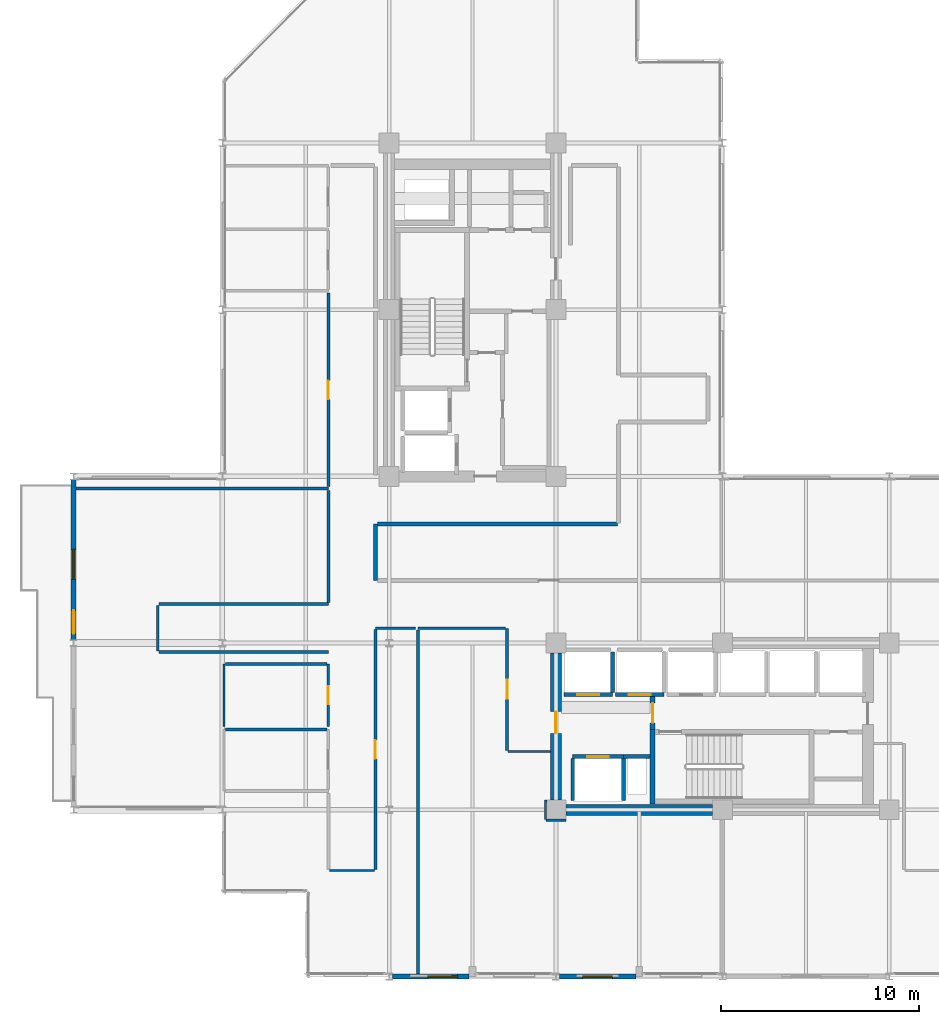
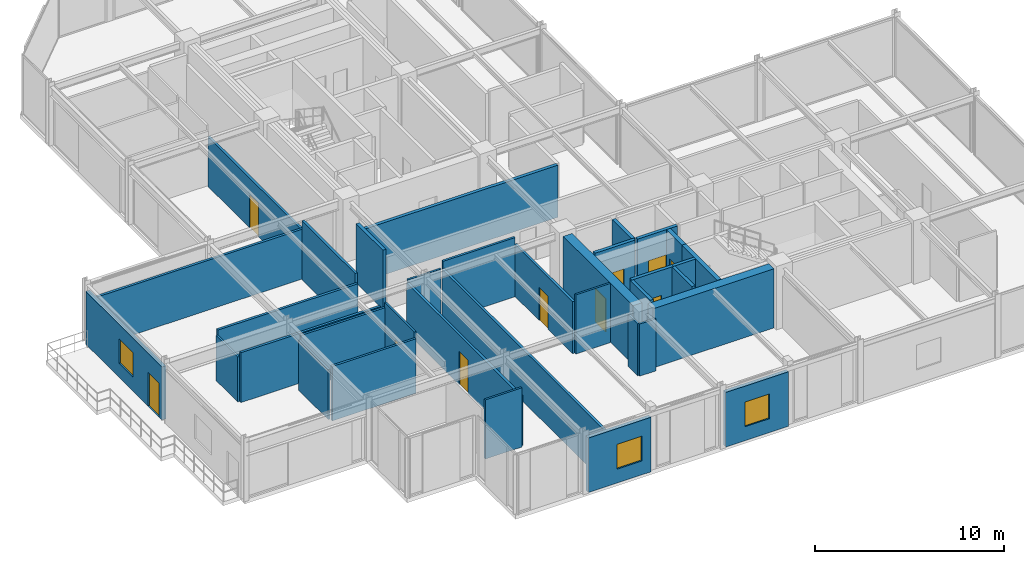
# One storey, part 24 of 29: 35 walls, 10 doors, 3 windows, 13 openings.
"""IFC4 building model written with IfcOpenShell, lengths in metres."""

from ifc_helpers import new_model, si_unit, direction, frame, frame_2d, origin, place, context, subcontext, project, spatial, rectangle, extrude, material, layer, layer_set, type_object, element, fill, save


model = new_model("IFC4")

# Units and contexts
model_context = context("Model", 3, precision=1e-05, world=origin(), true_north=direction((0.0, 1.0)))
body_context = subcontext(model_context, "Body", "Model", "MODEL_VIEW")
ifc_project = project(units=[si_unit("LENGTHUNIT", "METRE"), si_unit("AREAUNIT", "SQUARE_METRE"), si_unit("VOLUMEUNIT", "CUBIC_METRE"), si_unit("PLANEANGLEUNIT", "RADIAN"), si_unit("MASSUNIT", "GRAM", prefix="KILO")], contexts=[model_context])

# Site, building, storey
site_placement = place(None, origin())
site = spatial("IfcSite", under=ifc_project, at=site_placement, CompositionType="ELEMENT")
building_placement = place(site_placement, origin())
building = spatial("IfcBuilding", under=site, at=building_placement, Name="Nerrivon Quay Data Exchange", CompositionType="ELEMENT")
storey_placement = place(building_placement, frame((0.0, 0.0, 183.699951171875)))
storey = spatial("IfcBuildingStorey", under=building, at=storey_placement, Name="L43", CompositionType="ELEMENT", Elevation=183.699951171875)

# Wall, openings, door, window
ifc_material_1 = material(Name="Architectural terracotta precast concrete N50 (50 MPa)", Category="masonry")
ifc_layer_1 = layer(ifc_material_1, 0.239990234375)
ifc_layer_set_1 = layer_set([ifc_layer_1], Name="Architectural terracotta precast concrete N50 (50 MPa)")
wall_type_1 = type_object("IfcWallType", Name="EW-PREC-240", PredefinedType="STANDARD", material=ifc_layer_set_1)
wall_1_placement = place(storey_placement, frame((-7.5, 16.96337890625, 0.0), z_axis=(0.0, 0.0, 1.0), x_axis=(0.0, 1.0, 0.0)))
wall_1 = element("IfcWall", 1, at=wall_1_placement, inside=storey, type_object=wall_type_1, Name="L43 Terrace Host Wall 2", PredefinedType="STANDARD", context=body_context, shape_type="SweptSolid", body=[
    extrude(rectangle(XDim=8.0732421875, YDim=0.239990234375, at=frame_2d((4.03662109375, 0.0))), origin(), (0.0, 0.0, 1.0), 3.422119140625),
])
opening_1_placement = place(wall_1_placement, frame((0.300048828125, 0.0, 0.0)))
opening_1 = element("IfcOpeningElement", 2, at=opening_1_placement, cuts=wall_1, Name="Opening TD1", PredefinedType="OPENING", context=body_context, shape_type="SweptSolid", body=[
    extrude(rectangle(XDim=1.199951171875, YDim=2.199951171875, at=frame_2d((0.60009765625, 1.10009765625))), frame((0.0, 0.1298828125, 0.0), z_axis=(0.0, -1.0, 0.0), x_axis=(1.0, 0.0, 0.0)), (0.0, 0.0, 1.0), 0.260009765625),
])
opening_2_placement = place(wall_1_placement, frame((3.052978515625, 0.0, 0.89990234375)))
opening_2 = element("IfcOpeningElement", 3, at=opening_2_placement, cuts=wall_1, Name="Opening WN4", PredefinedType="OPENING", context=body_context, shape_type="SweptSolid", body=[
    extrude(rectangle(XDim=1.5, YDim=1.60009765625, at=frame_2d((0.75, 0.800048828125))), frame((0.0, 0.1298828125, 0.0), z_axis=(0.0, -1.0, 0.0), x_axis=(1.0, 0.0, 0.0)), (0.0, 0.0, 1.0), 0.260009765625),
])
ifc_material_2 = material(Name="Double-glazed low-E solar control glass", Category="glass")
door_type_1 = type_object("IfcDoorType", Name="DR-TERR-1200x2200", OperationType="NOTDEFINED", PredefinedType="DOOR", material=ifc_material_2)
door_1_placement = place(opening_1_placement, origin())
door_1 = element("IfcDoor", 4, at=door_1_placement, inside=storey, type_object=door_type_1, Name="L43 Outdoor Terrace Access Door 2", OperationType="SINGLE_SWING_LEFT", OverallHeight=2.199951171875, OverallWidth=1.199951171875, PredefinedType="DOOR", context=body_context, shape_type="SweptSolid", body=[
    extrude(rectangle(XDim=1.199951171875, YDim=2.199951171875, at=frame_2d((0.60009765625, 1.10009765625))), frame((0.0, 0.02490234375, 0.0), z_axis=(0.0, -1.0, 0.0), x_axis=(1.0, 0.0, 0.0)), (0.0, 0.0, 1.0), 0.050048828125),
])
fill(opening_1, door_1)
window_type = type_object("IfcWindowType", Name="WIN-W4-1500x1600", PartitioningType="SINGLE_PANEL", PredefinedType="WINDOW", material=ifc_material_2)
window_1_placement = place(opening_2_placement, origin())
window_1 = element("IfcWindow", 5, at=window_1_placement, inside=storey, type_object=window_type, Name="L43 Terrace Side Window 2", OverallHeight=1.60009765625, OverallWidth=1.5, PartitioningType="SINGLE_PANEL", PredefinedType="WINDOW", context=body_context, shape_type="SweptSolid", body=[
    extrude(rectangle(XDim=1.5, YDim=1.60009765625, at=frame_2d((0.75, 0.800048828125))), frame((0.0, 0.030029296875, 0.0), z_axis=(0.0, -1.0, 0.0), x_axis=(1.0, 0.0, 0.0)), (0.0, 0.0, 1.0), 0.06005859375),
])
fill(opening_2, window_1)

# Wall, opening, window
wall_2_placement = place(storey_placement, frame((20.824951171875, 0.0, 0.0), z_axis=(0.0, 0.0, 1.0), x_axis=(-1.0, 0.0, 0.0)))
wall_2 = element("IfcWall", 6, at=wall_2_placement, inside=storey, type_object=wall_type_1, Name="L43 Podium Precast Spandrel Wall 25", PredefinedType="STANDARD", context=body_context, shape_type="SweptSolid", body=[
    extrude(rectangle(XDim=3.849853515625, YDim=0.239990234375, at=frame_2d((1.9248046875, 0.0))), origin(), (0.0, 0.0, 1.0), 3.525146484375),
])
opening_3_placement = place(wall_2_placement, frame((1.175048828125, 0.0, 0.89990234375)))
opening_3 = element("IfcOpeningElement", 7, at=opening_3_placement, cuts=wall_2, Name="Opening WN4", PredefinedType="OPENING", context=body_context, shape_type="SweptSolid", body=[
    extrude(rectangle(XDim=1.5, YDim=1.60009765625, at=frame_2d((0.75, 0.800048828125))), frame((0.0, 0.1298828125, 0.0), z_axis=(0.0, -1.0, 0.0), x_axis=(1.0, 0.0, 0.0)), (0.0, 0.0, 1.0), 0.260009765625),
])
window_2_placement = place(opening_3_placement, origin())
window_2 = element("IfcWindow", 8, at=window_2_placement, inside=storey, type_object=window_type, Name="L43 Solar Facade Window 25", OverallHeight=1.60009765625, OverallWidth=1.5, PartitioningType="SINGLE_PANEL", PredefinedType="WINDOW", context=body_context, shape_type="SweptSolid", body=[
    extrude(rectangle(XDim=1.5, YDim=1.60009765625, at=frame_2d((0.75, 0.800048828125))), frame((0.0, 0.030029296875, 0.0), z_axis=(0.0, -1.0, 0.0), x_axis=(1.0, 0.0, 0.0)), (0.0, 0.0, 1.0), 0.06005859375),
])
fill(opening_3, window_2)

wall_3_placement = place(storey_placement, frame((12.425048828125, 0.0, 0.0), z_axis=(0.0, 0.0, 1.0), x_axis=(-1.0, 0.0, 0.0)))
wall_3 = element("IfcWall", 9, at=wall_3_placement, inside=storey, type_object=wall_type_1, Name="L43 Podium Precast Spandrel Wall 27", PredefinedType="STANDARD", context=body_context, shape_type="SweptSolid", body=[
    extrude(rectangle(XDim=3.85009765625, YDim=0.239990234375, at=frame_2d((1.925048828125, 0.0))), origin(), (0.0, 0.0, 1.0), 3.525146484375),
])
opening_4_placement = place(wall_3_placement, frame((0.57861328125, 0.0, 0.89990234375)))
opening_4 = element("IfcOpeningElement", 10, at=opening_4_placement, cuts=wall_3, Name="Opening WN4", PredefinedType="OPENING", context=body_context, shape_type="SweptSolid", body=[
    extrude(rectangle(XDim=1.5, YDim=1.60009765625, at=frame_2d((0.75, 0.800048828125))), frame((0.0, 0.1298828125, 0.0), z_axis=(0.0, -1.0, 0.0), x_axis=(1.0, 0.0, 0.0)), (0.0, 0.0, 1.0), 0.260009765625),
])
window_3_placement = place(opening_4_placement, origin())
window_3 = element("IfcWindow", 11, at=window_3_placement, inside=storey, type_object=window_type, Name="L43 Solar Facade Window 27", OverallHeight=1.60009765625, OverallWidth=1.5, PartitioningType="SINGLE_PANEL", PredefinedType="WINDOW", context=body_context, shape_type="SweptSolid", body=[
    extrude(rectangle(XDim=1.5, YDim=1.60009765625, at=frame_2d((0.75, 0.800048828125))), frame((0.0, 0.030029296875, 0.0), z_axis=(0.0, -1.0, 0.0), x_axis=(1.0, 0.0, 0.0)), (0.0, 0.0, 1.0), 0.06005859375),
])
fill(opening_4, window_3)

# Wall
ifc_material_3 = material(Name="Concrete S65 (65 MPa)", Category="concrete")
ifc_layer_2 = layer(ifc_material_3, 0.550048828125)
ifc_layer_set_2 = layer_set([ifc_layer_2], Name="Concrete S65 (65 MPa)")
wall_type_2 = type_object("IfcWallType", Name="WALL-CW-700", PredefinedType="SHEAR", material=ifc_layer_set_2)
wall_4_placement = place(storey_placement, frame((17.300048828125, 8.39990234375, 0.0), z_axis=(0.0, 0.0, 1.0), x_axis=(1.0, 0.0, 0.0)))
element("IfcWall", 12, at=wall_4_placement, inside=storey, type_object=wall_type_2, Name="L43 East Split-Core Shear Wall ECW-S1", PredefinedType="SHEAR", context=body_context, shape_type="SweptSolid", body=[
    extrude(rectangle(XDim=7.39990234375, YDim=0.550048828125, at=frame_2d((3.699951171875, 0.0))), origin(), (0.0, 0.0, 1.0), 3.824951171875),
])

# Wall, opening, door
wall_5_placement = place(storey_placement, frame((16.800048828125, 8.89990234375, 0.0), z_axis=(0.0, 0.0, 1.0), x_axis=(0.0, 1.0, 0.0)))
wall_5 = element("IfcWall", 13, at=wall_5_placement, inside=storey, type_object=wall_type_2, Name="L43 East Split-Core Shear Wall ECW-W1", PredefinedType="SHEAR", context=body_context, shape_type="SweptSolid", body=[
    extrude(rectangle(XDim=7.400146484375, YDim=0.550048828125, at=frame_2d((3.7001953125, 0.0))), origin(), (0.0, 0.0, 1.0), 3.824951171875),
])
opening_5_placement = place(wall_5_placement, frame((3.35009765625, 0.0, 0.0)))
opening_5 = element("IfcOpeningElement", 14, at=opening_5_placement, cuts=wall_5, Name="Opening FD-120", PredefinedType="OPENING", context=body_context, shape_type="SweptSolid", body=[
    extrude(rectangle(XDim=1.10009765625, YDim=2.14990234375, at=frame_2d((0.550048828125, 1.074951171875))), frame((0.0, 0.284912109375, 0.0), z_axis=(0.0, -1.0, 0.0), x_axis=(1.0, 0.0, 0.0)), (0.0, 0.0, 1.0), 0.570068359375),
])
ifc_material_4 = material(Name="Powder-coated galvanized steel sheet", Category="steel")
door_type_2 = type_object("IfcDoorType", Name="DR-FD120-1100", OperationType="NOTDEFINED", PredefinedType="DOOR", material=ifc_material_4)
door_2_placement = place(opening_5_placement, origin())
door_2 = element("IfcDoor", 15, at=door_2_placement, inside=storey, type_object=door_type_2, Name="L43 East Core Lobby Fire Door", OperationType="SINGLE_SWING_RIGHT", OverallHeight=2.14990234375, OverallWidth=1.10009765625, PredefinedType="DOOR", context=body_context, shape_type="SweptSolid", body=[
    extrude(rectangle(XDim=1.10009765625, YDim=2.14990234375, at=frame_2d((0.550048828125, 1.074951171875))), frame((0.0, 0.02490234375, 0.0), z_axis=(0.0, -1.0, 0.0), x_axis=(1.0, 0.0, 0.0)), (0.0, 0.0, 1.0), 0.050048828125),
])
fill(opening_5, door_2)

# Wall
ifc_material_5 = material(Name="Gypsum plasterboard on cold-formed framing", Category="gypsum")
ifc_layer_3 = layer(ifc_material_5, 0.199951171875)
ifc_layer_set_3 = layer_set([ifc_layer_3], Name="Gypsum plasterboard on cold-formed framing")
wall_type_3 = type_object("IfcWallType", Name="WALL-FW-200", PredefinedType="PARTITIONING", material=ifc_layer_set_3)
wall_6_placement = place(storey_placement, frame((20.199951171875, 11.080078125, 0.0), z_axis=(0.0, 0.0, 1.0), x_axis=(1.0, 0.0, 0.0)))
element("IfcWall", 16, at=wall_6_placement, inside=storey, type_object=wall_type_3, Name="L43 East Core MEP Riser Shaft Wall N", PredefinedType="PARTITIONING", context=body_context, shape_type="SweptSolid", body=[
    extrude(rectangle(XDim=1.35009765625, YDim=0.199951171875, at=frame_2d((0.675048828125, 0.0))), origin(), (0.0, 0.0, 1.0), 3.824951171875),
])

# Wall, opening, door
wall_7_placement = place(storey_placement, frame((17.64990234375, 11.080078125, 0.0), z_axis=(0.0, 0.0, 1.0), x_axis=(1.0, 0.0, 0.0)))
wall_7 = element("IfcWall", 17, at=wall_7_placement, inside=storey, type_object=wall_type_3, Name="L43 Lift Front Wall FFL-2", PredefinedType="PARTITIONING", context=body_context, shape_type="SweptSolid", body=[
    extrude(rectangle(XDim=2.550048828125, YDim=0.199951171875, at=frame_2d((1.27490234375, 0.0))), origin(), (0.0, 0.0, 1.0), 3.824951171875),
])
opening_6_placement = place(wall_7_placement, frame((0.72509765625, 0.0, 0.0)))
opening_6 = element("IfcOpeningElement", 18, at=opening_6_placement, cuts=wall_7, Name="Opening LD-120", PredefinedType="OPENING", context=body_context, shape_type="SweptSolid", body=[
    extrude(rectangle(XDim=1.10009765625, YDim=2.199951171875, at=frame_2d((0.550048828125, 1.10009765625))), frame((0.0, 0.10986328125, 0.0), z_axis=(0.0, -1.0, 0.0), x_axis=(1.0, 0.0, 0.0)), (0.0, 0.0, 1.0), 0.219970703125),
])
door_type_3 = type_object("IfcDoorType", Name="DR-LIFT-LD120", OperationType="DOUBLE_DOOR_SLIDING", PredefinedType="DOOR", material=ifc_material_4)
door_3_placement = place(opening_6_placement, origin())
door_3 = element("IfcDoor", 19, at=door_3_placement, inside=storey, type_object=door_type_3, Name="L43 Lift Landing Sliding Door FFL-2", OperationType="DOUBLE_DOOR_SLIDING", OverallHeight=2.199951171875, OverallWidth=1.10009765625, PredefinedType="DOOR", context=body_context, shape_type="SweptSolid", body=[
    extrude(rectangle(XDim=1.10009765625, YDim=2.199951171875, at=frame_2d((0.550048828125, 1.10009765625))), frame((0.0, 0.02490234375, 0.0), z_axis=(0.0, -1.0, 0.0), x_axis=(1.0, 0.0, 0.0)), (0.0, 0.0, 1.0), 0.050048828125),
])
fill(opening_6, door_3)

# Walls
for number, where, z_axis, x_axis, name in (
    (20, (20.199951171875, 8.8798828125, 0.0), (0.0, 0.0, 1.0), (0.0, 1.0, 0.0), "L43 Lift Shaft Wall FFL-2 EAST"),
    (21, (17.64990234375, 8.8798828125, 0.0), (0.0, 0.0, 1.0), (0.0, 1.0, 0.0), "L43 Lift Shaft Wall FFL-2 WEST"),
):
    element("IfcWall", number, at=place(storey_placement, frame(where, z_axis=z_axis, x_axis=x_axis)), inside=storey, type_object=wall_type_3, Name=name, PredefinedType="PARTITIONING", context=body_context, shape_type="SweptSolid", body=[
        extrude(rectangle(XDim=2.10009765625, YDim=0.199951171875, at=frame_2d((1.050048828125, 0.0))), origin(), (0.0, 0.0, 1.0), 3.824951171875),
    ])

# Wall, opening, door
wall_8_placement = place(storey_placement, frame((17.199951171875, 14.199951171875, 0.0), z_axis=(0.0, 0.0, 1.0), x_axis=(1.0, 0.0, 0.0)))
wall_8 = element("IfcWall", 22, at=wall_8_placement, inside=storey, type_object=wall_type_3, Name="L43 Lift Front Wall PL4", PredefinedType="PARTITIONING", context=body_context, shape_type="SweptSolid", body=[
    extrude(rectangle(XDim=2.449951171875, YDim=0.199951171875, at=frame_2d((1.22509765625, 0.0))), origin(), (0.0, 0.0, 1.0), 3.824951171875),
])
opening_7_placement = place(wall_8_placement, frame((0.675048828125, 0.0, 0.0)))
opening_7 = element("IfcOpeningElement", 23, at=opening_7_placement, cuts=wall_8, Name="Opening LD-120", PredefinedType="OPENING", context=body_context, shape_type="SweptSolid", body=[
    extrude(rectangle(XDim=1.10009765625, YDim=2.199951171875, at=frame_2d((0.550048828125, 1.10009765625))), frame((0.0, 0.10986328125, 0.0), z_axis=(0.0, -1.0, 0.0), x_axis=(1.0, 0.0, 0.0)), (0.0, 0.0, 1.0), 0.219970703125),
])
door_4_placement = place(opening_7_placement, origin())
door_4 = element("IfcDoor", 24, at=door_4_placement, inside=storey, type_object=door_type_3, Name="L43 Lift Landing Sliding Door PL4", OperationType="DOUBLE_DOOR_SLIDING", OverallHeight=2.199951171875, OverallWidth=1.10009765625, PredefinedType="DOOR", context=body_context, shape_type="SweptSolid", body=[
    extrude(rectangle(XDim=1.10009765625, YDim=2.199951171875, at=frame_2d((0.550048828125, 1.10009765625))), frame((0.0, 0.02490234375, 0.0), z_axis=(0.0, -1.0, 0.0), x_axis=(1.0, 0.0, 0.0)), (0.0, 0.0, 1.0), 0.050048828125),
])
fill(opening_7, door_4)

# Wall
wall_9_placement = place(storey_placement, frame((19.64990234375, 14.300048828125, 0.0), z_axis=(0.0, 0.0, 1.0), x_axis=(0.0, 1.0, 0.0)))
element("IfcWall", 25, at=wall_9_placement, inside=storey, type_object=wall_type_3, Name="L43 Lift Shaft Wall PL4 EAST", PredefinedType="PARTITIONING", context=body_context, shape_type="SweptSolid", body=[
    extrude(rectangle(XDim=2.050048828125, YDim=0.199951171875, at=frame_2d((1.02490234375, 0.0))), origin(), (0.0, 0.0, 1.0), 3.824951171875),
])

# Wall, opening, door
wall_10_placement = place(storey_placement, frame((19.800048828125, 14.199951171875, 0.0), z_axis=(0.0, 0.0, 1.0), x_axis=(1.0, 0.0, 0.0)))
wall_10 = element("IfcWall", 26, at=wall_10_placement, inside=storey, type_object=wall_type_3, Name="L43 Lift Front Wall PL5", PredefinedType="PARTITIONING", context=body_context, shape_type="SweptSolid", body=[
    extrude(rectangle(XDim=2.449951171875, YDim=0.199951171875, at=frame_2d((1.22509765625, 0.0))), origin(), (0.0, 0.0, 1.0), 3.824951171875),
])
opening_8_placement = place(wall_10_placement, frame((0.675048828125, 0.0, 0.0)))
opening_8 = element("IfcOpeningElement", 27, at=opening_8_placement, cuts=wall_10, Name="Opening LD-120", PredefinedType="OPENING", context=body_context, shape_type="SweptSolid", body=[
    extrude(rectangle(XDim=1.10009765625, YDim=2.199951171875, at=frame_2d((0.550048828125, 1.10009765625))), frame((0.0, 0.10986328125, 0.0), z_axis=(0.0, -1.0, 0.0), x_axis=(1.0, 0.0, 0.0)), (0.0, 0.0, 1.0), 0.219970703125),
])
door_5_placement = place(opening_8_placement, origin())
door_5 = element("IfcDoor", 28, at=door_5_placement, inside=storey, type_object=door_type_3, Name="L43 Lift Landing Sliding Door PL5", OperationType="DOUBLE_DOOR_SLIDING", OverallHeight=2.199951171875, OverallWidth=1.10009765625, PredefinedType="DOOR", context=body_context, shape_type="SweptSolid", body=[
    extrude(rectangle(XDim=1.10009765625, YDim=2.199951171875, at=frame_2d((0.550048828125, 1.10009765625))), frame((0.0, 0.02490234375, 0.0), z_axis=(0.0, -1.0, 0.0), x_axis=(1.0, 0.0, 0.0)), (0.0, 0.0, 1.0), 0.050048828125),
])
fill(opening_8, door_5)

# Walls
wall_11_placement = place(storey_placement, frame((7.7099609375, 22.7900390625, 0.0), z_axis=(0.0, 0.0, 1.0), x_axis=(0.0, -1.0, 0.0)))
element("IfcWall", 29, at=wall_11_placement, inside=storey, type_object=wall_type_3, Name="L43 Partition Colocation Data Workspace 1", PredefinedType="PARTITIONING", context=body_context, shape_type="SweptSolid", body=[
    extrude(rectangle(XDim=2.830078125, YDim=0.199951171875, at=frame_2d((1.4150390625, 0.0))), origin(), (0.0, 0.0, 1.0), 3.824951171875),
])
wall_12_placement = place(storey_placement, frame((19.89990234375, 22.7900390625, 0.0), z_axis=(0.0, 0.0, 1.0), x_axis=(-1.0, 0.0, 0.0)))
element("IfcWall", 30, at=wall_12_placement, inside=storey, type_object=wall_type_3, Name="L43 Partition Colocation Data Workspace 1", PredefinedType="PARTITIONING", context=body_context, shape_type="SweptSolid", body=[
    extrude(rectangle(XDim=12.0859375, YDim=0.199951171875, at=frame_2d((6.04296875, 0.0))), origin(), (0.0, 0.0, 1.0), 3.37109375),
])
ifc_layer_4 = layer(ifc_material_5, 0.1201171875)
ifc_layer_set_4 = layer_set([ifc_layer_4], Name="Gypsum plasterboard on cold-formed framing")
wall_type_4 = type_object("IfcWallType", Name="WALL-PT-120", PredefinedType="PARTITIONING", material=ifc_layer_set_4)
wall_13_placement = place(storey_placement, frame((0.080078125, 15.75, 0.0), z_axis=(0.0, 0.0, 1.0), x_axis=(0.0, -1.0, 0.0)))
element("IfcWall", 31, at=wall_13_placement, inside=storey, type_object=wall_type_4, Name="L43 Partition Public Washrooms", PredefinedType="PARTITIONING", context=body_context, shape_type="SweptSolid", body=[
    extrude(rectangle(XDim=3.14990234375, YDim=0.1201171875, at=frame_2d((1.574951171875, 0.0))), origin(), (0.0, 0.0, 1.0), 3.22314453125),
])

# Wall, opening, door
wall_14_placement = place(storey_placement, frame((5.340087890625, 12.60009765625, 0.0), z_axis=(0.0, 0.0, 1.0), x_axis=(0.0, 1.0, 0.0)))
wall_14 = element("IfcWall", 32, at=wall_14_placement, inside=storey, type_object=wall_type_4, Name="L43 Partition Public Washrooms", PredefinedType="PARTITIONING", context=body_context, shape_type="SweptSolid", body=[
    extrude(rectangle(XDim=3.14990234375, YDim=0.1201171875, at=frame_2d((1.574951171875, 0.0))), origin(), (0.0, 0.0, 1.0), 3.824951171875),
])
opening_9_placement = place(wall_14_placement, frame((1.114990234375, 0.0, 0.0)))
opening_9 = element("IfcOpeningElement", 33, at=opening_9_placement, cuts=wall_14, Name="Opening D-WC", PredefinedType="OPENING", context=body_context, shape_type="SweptSolid", body=[
    extrude(rectangle(XDim=0.919921875, YDim=2.10009765625, at=frame_2d((0.4599609375, 1.050048828125))), frame((0.0, 0.070068359375, 0.0), z_axis=(0.0, -1.0, 0.0), x_axis=(1.0, 0.0, 0.0)), (0.0, 0.0, 1.0), 0.14013671875),
])
ifc_material_6 = material(Name="Engineered hardwood timber", Category="wood")
door_type_4 = type_object("IfcDoorType", Name="DR-WC-920", OperationType="NOTDEFINED", PredefinedType="DOOR", material=ifc_material_6)
door_6_placement = place(opening_9_placement, origin())
door_6 = element("IfcDoor", 34, at=door_6_placement, inside=storey, type_object=door_type_4, Name="L43 Door Public Washrooms", OperationType="SINGLE_SWING_LEFT", OverallHeight=2.10009765625, OverallWidth=0.919921875, PredefinedType="DOOR", context=body_context, shape_type="SweptSolid", body=[
    extrude(rectangle(XDim=0.919921875, YDim=2.10009765625, at=frame_2d((0.4599609375, 1.050048828125))), frame((0.0, 0.02490234375, 0.0), z_axis=(0.0, -1.0, 0.0), x_axis=(1.0, 0.0, 0.0)), (0.0, 0.0, 1.0), 0.050048828125),
])
fill(opening_9, door_6)

# Walls
wall_15_placement = place(storey_placement, frame((17.303955078125, 7.88037109375, 0.0), z_axis=(0.0, 0.0, 1.0), x_axis=(-0.999999883085, 0.000483558938, 0.0)))
element("IfcWall", 35, at=wall_15_placement, inside=storey, type_object=wall_type_4, Name="L43 Partition Client Conference Room 1", PredefinedType="PARTITIONING", context=body_context, shape_type="SweptSolid", body=[
    extrude(rectangle(XDim=1.009765625, YDim=0.1201171875, at=frame_2d((0.5048828125, 0.0))), origin(), (0.0, 0.0, 1.0), 3.37109375),
])
wall_16_placement = place(storey_placement, frame((16.280029296875, 7.89990234375, 0.0), z_axis=(0.0, 0.0, 1.0), x_axis=(0.000486381265, 0.999999881717, 0.0)))
element("IfcWall", 36, at=wall_16_placement, inside=storey, type_object=wall_type_4, Name="L43 Partition Client Conference Room 1", PredefinedType="PARTITIONING", context=body_context, shape_type="SweptSolid", body=[
    extrude(rectangle(XDim=1.00390625, YDim=0.1201171875, at=frame_2d((0.501953125, 0.0))), origin(), (0.0, 0.0, 1.0), 3.364990234375),
])
wall_17_placement = place(storey_placement, frame((16.52099609375, 11.340087890625, 0.0), z_axis=(0.0, 0.0, 1.0), x_axis=(-1.0, 0.0, 0.0)))
element("IfcWall", 37, at=wall_17_placement, inside=storey, type_object=wall_type_4, Name="L43 Partition Client Conference Room 1", PredefinedType="PARTITIONING", context=body_context, shape_type="SweptSolid", body=[
    extrude(rectangle(XDim=2.12109375, YDim=0.1201171875, at=frame_2d((1.060546875, 0.0))), origin(), (0.0, 0.0, 1.0), 3.824951171875),
])
wall_18_placement = place(storey_placement, frame((9.738037109375, 17.5400390625, 0.0), z_axis=(0.0, 0.0, 1.0), x_axis=(-1.0, 0.0, 0.0)))
element("IfcWall", 38, at=wall_18_placement, inside=storey, type_object=wall_type_4, Name="L43 Partition Peering Huddle Meeting Room", PredefinedType="PARTITIONING", context=body_context, shape_type="SweptSolid", body=[
    extrude(rectangle(XDim=2.028076171875, YDim=0.1201171875, at=frame_2d((1.01416015625, 0.0))), origin(), (0.0, 0.0, 1.0), 3.37109375),
])
wall_19_placement = place(storey_placement, frame((7.64990234375, 5.340087890625, 0.0), z_axis=(0.0, 0.0, 1.0), x_axis=(-1.0, 0.0, 0.0)))
element("IfcWall", 39, at=wall_19_placement, inside=storey, type_object=wall_type_4, Name="L43 Partition Peering Huddle Meeting Room", PredefinedType="PARTITIONING", context=body_context, shape_type="SweptSolid", body=[
    extrude(rectangle(XDim=2.25, YDim=0.1201171875, at=frame_2d((1.125, 0.0))), origin(), (0.0, 0.0, 1.0), 3.824951171875),
])
wall_20_placement = place(storey_placement, frame((-3.260009765625, 16.39990234375, 0.0), z_axis=(0.0, 0.0, 1.0), x_axis=(0.0, 1.0, 0.0)))
element("IfcWall", 40, at=wall_20_placement, inside=storey, type_object=wall_type_4, Name="L43 Partition Peering Huddle Meeting Room", PredefinedType="PARTITIONING", context=body_context, shape_type="SweptSolid", body=[
    extrude(rectangle(XDim=2.300048828125, YDim=0.1201171875, at=frame_2d((1.14990234375, 0.0))), origin(), (0.0, 0.0, 1.0), 2.9150390625),
])
ifc_layer_5 = layer(ifc_material_5, 0.135009765625)
ifc_layer_set_5 = layer_set([ifc_layer_5], Name="Gypsum plasterboard on cold-formed framing")
wall_type_5 = type_object("IfcWallType", Name="WALL-PT-135", PredefinedType="PARTITIONING", material=ifc_layer_set_5)
for number, where, z_axis, x_axis, name in (
    (41, (5.27587890625, 12.449951171875, 0.0), (0.0, 0.0, 1.0), (-1.0, 0.0, 0.0), "L43 Partition Accessible Toilet"),
    (42, (5.27587890625, 15.75, 0.0), (0.0, 0.0, 1.0), (-1.0, 0.0, 0.0), "L43 Partition Public Washrooms"),
):
    element("IfcWall", number, at=place(storey_placement, frame(where, z_axis=z_axis, x_axis=x_axis)), inside=storey, type_object=wall_type_5, Name=name, PredefinedType="PARTITIONING", context=body_context, shape_type="SweptSolid", body=[
        extrude(rectangle(XDim=5.1318359375, YDim=0.135009765625, at=frame_2d((2.56591796875, 0.0))), origin(), (0.0, 0.0, 1.0), 3.51806640625),
    ])
wall_21_placement = place(storey_placement, frame((14.260986328125, 17.5400390625, 0.0), z_axis=(0.0, 0.0, 1.0), x_axis=(-1.0, 0.0, 0.0)))
element("IfcWall", 43, at=wall_21_placement, inside=storey, type_object=wall_type_5, Name="L43 Partition Client Conference Room 1", PredefinedType="PARTITIONING", context=body_context, shape_type="SweptSolid", body=[
    extrude(rectangle(XDim=4.40283203125, YDim=0.135009765625, at=frame_2d((2.201416015625, 0.0))), origin(), (0.0, 0.0, 1.0), 3.824951171875),
])
ifc_layer_6 = layer(ifc_material_5, 0.14990234375)
ifc_layer_set_6 = layer_set([ifc_layer_6], Name="Gypsum plasterboard on cold-formed framing")
wall_type_6 = type_object("IfcWallType", Name="WALL-PT-150", PredefinedType="PARTITIONING", material=ifc_layer_set_6)
wall_22_placement = place(storey_placement, frame((-7.3759765625, 24.599365234375, 0.0), z_axis=(0.0, 0.0, 1.0), x_axis=(1.0, 0.0, 0.0)))
element("IfcWall", 44, at=wall_22_placement, inside=storey, type_object=wall_type_6, Name="L43 Partition Staff Pantry", PredefinedType="PARTITIONING", context=body_context, shape_type="SweptSolid", body=[
    extrude(rectangle(XDim=12.716064453125, YDim=0.14990234375, at=frame_2d((6.35791015625, 0.0))), origin(), (0.0, 0.0, 1.0), 3.22314453125),
])

# Wall, opening, door
wall_23_placement = place(storey_placement, frame((5.340087890625, 24.678466796875, 0.0), z_axis=(0.0, 0.0, 1.0), x_axis=(0.0, 1.0, 0.0)))
wall_23 = element("IfcWall", 45, at=wall_23_placement, inside=storey, type_object=wall_type_6, Name="L43 Partition Staff Pantry", PredefinedType="PARTITIONING", context=body_context, shape_type="SweptSolid", body=[
    extrude(rectangle(XDim=9.75146484375, YDim=0.14990234375, at=frame_2d((4.875732421875, 0.0))), origin(), (0.0, 0.0, 1.0), 3.213134765625),
])
opening_10_placement = place(wall_23_placement, frame((4.40087890625, 0.0, 0.0)))
opening_10 = element("IfcOpeningElement", 46, at=opening_10_placement, cuts=wall_23, Name="Opening D-01", PredefinedType="OPENING", context=body_context, shape_type="SweptSolid", body=[
    extrude(rectangle(XDim=0.949951171875, YDim=2.14990234375, at=frame_2d((0.47509765625, 1.074951171875))), frame((0.0, 0.0849609375, 0.0), z_axis=(0.0, -1.0, 0.0), x_axis=(1.0, 0.0, 0.0)), (0.0, 0.0, 1.0), 0.169921875),
])
door_type_5 = type_object("IfcDoorType", Name="DR-INT-950", OperationType="NOTDEFINED", PredefinedType="DOOR", material=ifc_material_6)
door_7_placement = place(opening_10_placement, origin())
door_7 = element("IfcDoor", 47, at=door_7_placement, inside=storey, type_object=door_type_5, Name="L43 Door Staff Pantry", OperationType="SINGLE_SWING_RIGHT", OverallHeight=2.14990234375, OverallWidth=0.949951171875, PredefinedType="DOOR", context=body_context, shape_type="SweptSolid", body=[
    extrude(rectangle(XDim=0.949951171875, YDim=2.14990234375, at=frame_2d((0.47509765625, 1.074951171875))), frame((0.0, 0.02490234375, 0.0), z_axis=(0.0, -1.0, 0.0), x_axis=(1.0, 0.0, 0.0)), (0.0, 0.0, 1.0), 0.050048828125),
])
fill(opening_10, door_7)

wall_24_placement = place(storey_placement, frame((14.340087890625, 11.39990234375, 0.0), z_axis=(0.0, 0.0, 1.0), x_axis=(0.0, 1.0, 0.0)))
wall_24 = element("IfcWall", 48, at=wall_24_placement, inside=storey, type_object=wall_type_6, Name="L43 Partition Client Conference Room 1", PredefinedType="PARTITIONING", context=body_context, shape_type="SweptSolid", body=[
    extrude(rectangle(XDim=6.14013671875, YDim=0.14990234375, at=frame_2d((3.070068359375, 0.0))), origin(), (0.0, 0.0, 1.0), 3.364990234375),
])
opening_11_placement = place(wall_24_placement, frame((2.594970703125, 0.0, 0.0)))
opening_11 = element("IfcOpeningElement", 49, at=opening_11_placement, cuts=wall_24, Name="Opening D-01", PredefinedType="OPENING", context=body_context, shape_type="SweptSolid", body=[
    extrude(rectangle(XDim=0.949951171875, YDim=2.14990234375, at=frame_2d((0.47509765625, 1.074951171875))), frame((0.0, 0.0849609375, 0.0), z_axis=(0.0, -1.0, 0.0), x_axis=(1.0, 0.0, 0.0)), (0.0, 0.0, 1.0), 0.169921875),
])
door_8_placement = place(opening_11_placement, origin())
door_8 = element("IfcDoor", 50, at=door_8_placement, inside=storey, type_object=door_type_5, Name="L43 Door Client Conference Room 1", OperationType="SINGLE_SWING_LEFT", OverallHeight=2.14990234375, OverallWidth=0.949951171875, PredefinedType="DOOR", context=body_context, shape_type="SweptSolid", body=[
    extrude(rectangle(XDim=0.949951171875, YDim=2.14990234375, at=frame_2d((0.47509765625, 1.074951171875))), frame((0.0, 0.02490234375, 0.0), z_axis=(0.0, -1.0, 0.0), x_axis=(1.0, 0.0, 0.0)), (0.0, 0.0, 1.0), 0.050048828125),
])
fill(opening_11, door_8)

# Walls
wall_25_placement = place(storey_placement, frame((9.858154296875, 17.468505859375, 0.0), z_axis=(0.0, 0.0, 1.0), x_axis=(0.0, -1.0, 0.0)))
element("IfcWall", 51, at=wall_25_placement, inside=storey, type_object=wall_type_6, Name="L43 Partition Client Conference Room 1", PredefinedType="PARTITIONING", context=body_context, shape_type="SweptSolid", body=[
    extrude(rectangle(XDim=17.344482421875, YDim=0.14990234375, at=frame_2d((8.67236328125, 0.0))), origin(), (0.0, 0.0, 1.0), 3.364990234375),
])
wall_26_placement = place(storey_placement, frame((-3.199951171875, 18.760009765625, 0.0), z_axis=(0.0, 0.0, 1.0), x_axis=(1.0, 0.0, 0.0)))
element("IfcWall", 52, at=wall_26_placement, inside=storey, type_object=wall_type_6, Name="L43 Partition Peering Huddle Meeting Room", PredefinedType="PARTITIONING", context=body_context, shape_type="SweptSolid", body=[
    extrude(rectangle(XDim=8.5400390625, YDim=0.14990234375, at=frame_2d((4.27001953125, 0.0))), origin(), (0.0, 0.0, 1.0), 3.22314453125),
])
wall_27_placement = place(storey_placement, frame((5.340087890625, 18.839111328125, 0.0), z_axis=(0.0, 0.0, 1.0), x_axis=(0.0, 1.0, 0.0)))
element("IfcWall", 53, at=wall_27_placement, inside=storey, type_object=wall_type_6, Name="L43 Partition Peering Huddle Meeting Room", PredefinedType="PARTITIONING", context=body_context, shape_type="SweptSolid", body=[
    extrude(rectangle(XDim=5.640380859375, YDim=0.14990234375, at=frame_2d((2.8203125, 0.0))), origin(), (0.0, 0.0, 1.0), 3.824951171875),
])

# Wall, opening, door
wall_28_placement = place(storey_placement, frame((7.7099609375, 17.47607421875, 0.0), z_axis=(0.0, 0.0, 1.0), x_axis=(0.0, -1.0, 0.0)))
wall_28 = element("IfcWall", 54, at=wall_28_placement, inside=storey, type_object=wall_type_6, Name="L43 Partition Peering Huddle Meeting Room", PredefinedType="PARTITIONING", context=body_context, shape_type="SweptSolid", body=[
    extrude(rectangle(XDim=12.076171875, YDim=0.14990234375, at=frame_2d((6.0380859375, 0.0))), origin(), (0.0, 0.0, 1.0), 3.213134765625),
])
opening_12_placement = place(wall_28_placement, frame((5.56298828125, 0.0, 0.0)))
opening_12 = element("IfcOpeningElement", 55, at=opening_12_placement, cuts=wall_28, Name="Opening D-01", PredefinedType="OPENING", context=body_context, shape_type="SweptSolid", body=[
    extrude(rectangle(XDim=0.949951171875, YDim=2.14990234375, at=frame_2d((0.47509765625, 1.074951171875))), frame((0.0, 0.0849609375, 0.0), z_axis=(0.0, -1.0, 0.0), x_axis=(1.0, 0.0, 0.0)), (0.0, 0.0, 1.0), 0.169921875),
])
door_9_placement = place(opening_12_placement, origin())
door_9 = element("IfcDoor", 56, at=door_9_placement, inside=storey, type_object=door_type_5, Name="L43 Door Peering Huddle Meeting Room", OperationType="SINGLE_SWING_RIGHT", OverallHeight=2.14990234375, OverallWidth=0.949951171875, PredefinedType="DOOR", context=body_context, shape_type="SweptSolid", body=[
    extrude(rectangle(XDim=0.949951171875, YDim=2.14990234375, at=frame_2d((0.47509765625, 1.074951171875))), frame((0.0, 0.02490234375, 0.0), z_axis=(0.0, -1.0, 0.0), x_axis=(1.0, 0.0, 0.0)), (0.0, 0.0, 1.0), 0.050048828125),
])
fill(opening_12, door_9)

# Walls
wall_29_placement = place(storey_placement, frame((5.340087890625, 16.340087890625, 0.0), z_axis=(0.0, 0.0, 1.0), x_axis=(-1.0, 0.0, 0.0)))
element("IfcWall", 57, at=wall_29_placement, inside=storey, type_object=wall_type_6, Name="L43 Partition Peering Huddle Meeting Room", PredefinedType="PARTITIONING", context=body_context, shape_type="SweptSolid", body=[
    extrude(rectangle(XDim=8.5400390625, YDim=0.14990234375, at=frame_2d((4.27001953125, 0.0))), origin(), (0.0, 0.0, 1.0), 3.22314453125),
])
ifc_material_7 = material(Name="Concrete N50 (50 MPa)", Category="concrete")
ifc_layer_7 = layer(ifc_material_7, 0.25)
ifc_layer_set_7 = layer_set([ifc_layer_7], Name="Concrete N50 (50 MPa)")
wall_type_7 = type_object("IfcWallType", Name="WALL-SW-250", PredefinedType="SHEAR", material=ifc_layer_set_7)
wall_30_placement = place(storey_placement, frame((21.675048828125, 8.699951171875, 0.0), z_axis=(0.0, 0.0, 1.0), x_axis=(0.0, 1.0, 0.0)))
element("IfcWall", 58, at=wall_30_placement, inside=storey, type_object=wall_type_7, Name="L43 ST02 Structural Stair Core Wall NEAR", PredefinedType="SHEAR", context=body_context, shape_type="SweptSolid", body=[
    extrude(rectangle(XDim=3.75, YDim=0.25, at=frame_2d((1.875, 0.0))), origin(), (0.0, 0.0, 1.0), 3.824951171875),
])

# Wall, opening, door
wall_31_placement = place(storey_placement, frame((21.679931640625, 12.449951171875, 0.0), z_axis=(0.0, 0.0, 1.0), x_axis=(0.0, 1.0, 0.0)))
wall_31 = element("IfcWall", 59, at=wall_31_placement, inside=storey, type_object=wall_type_7, Name="L43 East Firefighting Lobby Wall", PredefinedType="SHEAR", context=body_context, shape_type="SweptSolid", body=[
    extrude(rectangle(XDim=1.650146484375, YDim=0.25, at=frame_2d((0.8251953125, 0.0))), origin(), (0.0, 0.0, 1.0), 3.824951171875),
])
opening_13_placement = place(wall_31_placement, frame((0.324951171875, 0.0, 0.0)))
opening_13 = element("IfcOpeningElement", 60, at=opening_13_placement, cuts=wall_31, Name="Opening FD-60", PredefinedType="OPENING", context=body_context, shape_type="SweptSolid", body=[
    extrude(rectangle(XDim=1.0, YDim=2.14990234375, at=frame_2d((0.5, 1.074951171875))), frame((0.0, 0.135009765625, 0.0), z_axis=(0.0, -1.0, 0.0), x_axis=(1.0, 0.0, 0.0)), (0.0, 0.0, 1.0), 0.27001953125),
])
door_type_6 = type_object("IfcDoorType", Name="DR-FD60-1000", OperationType="NOTDEFINED", PredefinedType="DOOR", material=ifc_material_6)
door_10_placement = place(opening_13_placement, origin())
door_10 = element("IfcDoor", 61, at=door_10_placement, inside=storey, type_object=door_type_6, Name="L43 East Firefighting Lobby Fire Door", OperationType="SINGLE_SWING_RIGHT", OverallHeight=2.14990234375, OverallWidth=1.0, PredefinedType="DOOR", context=body_context, shape_type="SweptSolid", body=[
    extrude(rectangle(XDim=1.0, YDim=2.14990234375, at=frame_2d((0.5, 1.074951171875))), frame((0.0, 0.02490234375, 0.0), z_axis=(0.0, -1.0, 0.0), x_axis=(1.0, 0.0, 0.0)), (0.0, 0.0, 1.0), 0.050048828125),
])
fill(opening_13, door_10)

save(model, "model.ifc")
